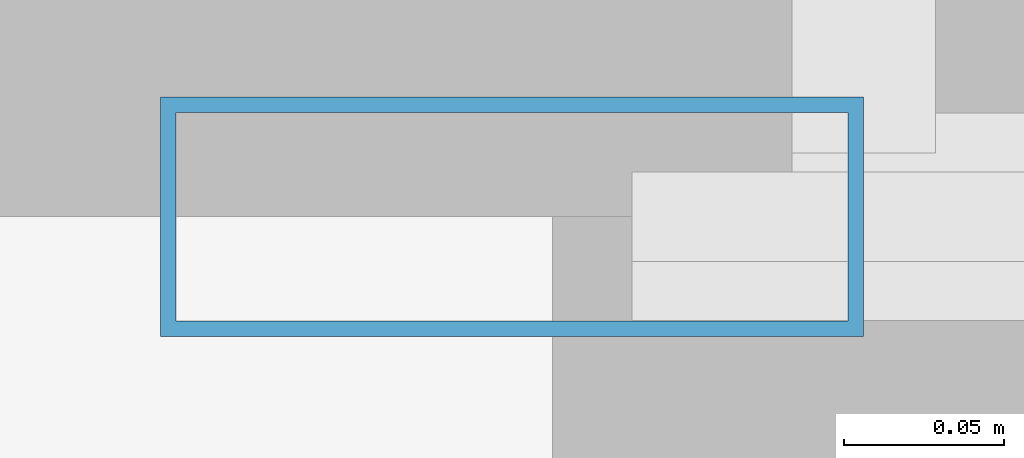
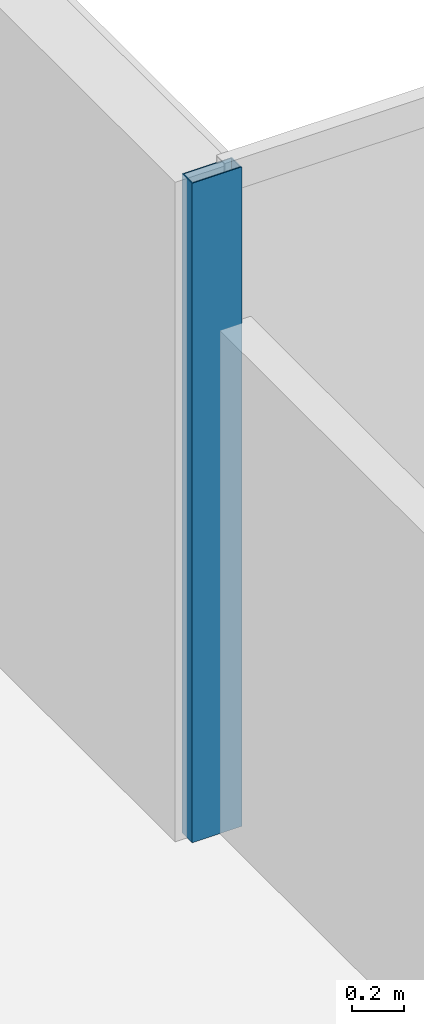
# One storey, part 10 of 33: 1 member, 1 element without a shape of its own.
"""IFC4 building model written with IfcOpenShell, lengths in metres."""

from ifc_helpers import new_model, si_unit, direction, frame, origin, origin_2d, place, context, subcontext, project, spatial, hollow_rectangle, extrude, material, layer, layer_set, material_profile, profile_set, type_object, element, aggregate, save


model = new_model("IFC4")

# Units and contexts
model_context = context("Model", 3, precision=1e-05, world=origin(), true_north=direction((0.0, 1.0)))
body_context = subcontext(model_context, "Body", "Model", "MODEL_VIEW")
ifc_project = project(units=[si_unit("LENGTHUNIT", "METRE"), si_unit("AREAUNIT", "SQUARE_METRE"), si_unit("VOLUMEUNIT", "CUBIC_METRE"), si_unit("PLANEANGLEUNIT", "RADIAN"), si_unit("MASSUNIT", "GRAM", prefix="KILO")], contexts=[model_context])

# Site, building, storey
site_placement = place(None, origin())
site = spatial("IfcSite", under=ifc_project, at=site_placement, CompositionType="ELEMENT")
building_placement = place(site_placement, origin())
building = spatial("IfcBuilding", under=site, at=building_placement, Name="Tanjung Sevakor Pilgrim Tower", CompositionType="ELEMENT")
storey_placement = place(building_placement, frame((0.0, 0.0, 95.3701171875)))
storey = spatial("IfcBuildingStorey", under=building, at=storey_placement, Name="L26", CompositionType="ELEMENT", Elevation=95.3701171875)

# Curtain wall, member
ifc_material_1 = material(Name="Aluminium 6063-T6 and Low-E Glass", Category="aluminium")
ifc_layer = layer(ifc_material_1, 0.179931640625)
ifc_layer_set = layer_set([ifc_layer], Name="CW-SYS-CLEFT")
curtain_wall_type = type_object("IfcCurtainWallType", Name="CW-SYS-CLEFT", PredefinedType="NOTDEFINED", material=ifc_layer_set)
curtain_wall_placement = place(storey_placement, origin())
curtain_wall = element("IfcCurtainWall", 1, at=curtain_wall_placement, inside=storey, type_object=curtain_wall_type, Name="L26 Curtain Wall CW-CLF-L26-10", PredefinedType="NOTDEFINED")
ifc_material_2 = material(Name="Aluminium 6063-T6", Category="aluminium")
ifc_material_profile = material_profile(ifc_material_2, hollow_rectangle(XDim=0.074951171875, YDim=0.219970703125, WallThickness=0.0048828125, at=origin_2d()))
ifc_profile_set = profile_set([ifc_material_profile], Name="Aluminium 6063-T6")
member_type = type_object("IfcMemberType", Name="TYPE-CWM-2", PredefinedType="MULLION", material=ifc_profile_set)
member_placement = place(storey_placement, frame((43.512451171875, 54.074951171875, 0.0), z_axis=(0.0, 0.0, 1.0), x_axis=(0.0, -1.0, 0.0)))
member = element("IfcMember", 2, at=member_placement, type_object=member_type, Name="CW-CLF mullion 2", PredefinedType="MULLION", context=body_context, shape_type="SweptSolid", body=[
    extrude(hollow_rectangle(XDim=0.074951171875, YDim=0.219970703125, WallThickness=0.0048828125, at=origin_2d()), origin(), (0.0, 0.0, 1.0), 3.079833984375),
])
aggregate(curtain_wall, [member])

save(model, "model.ifc")
